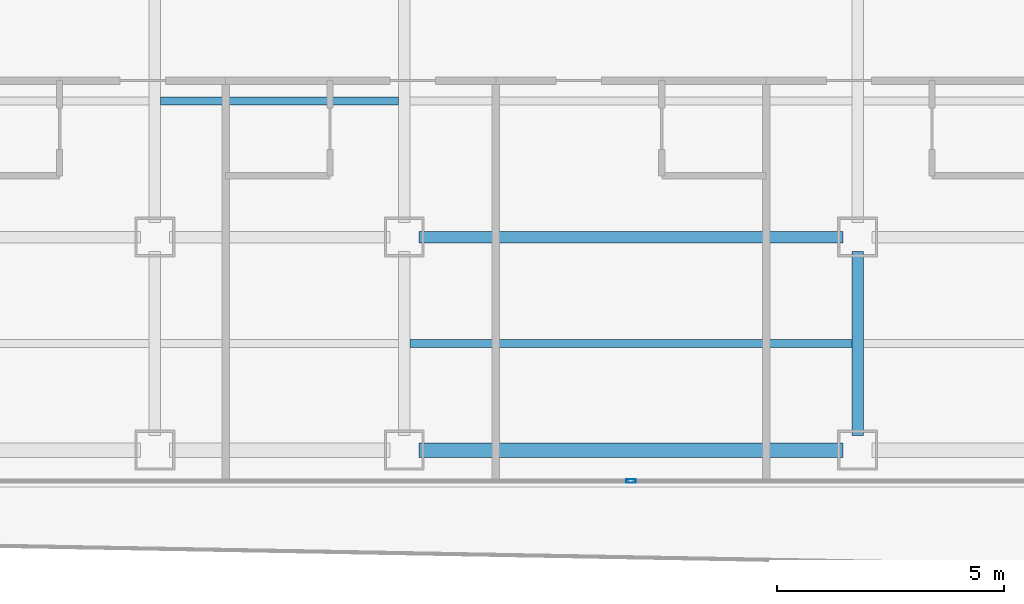
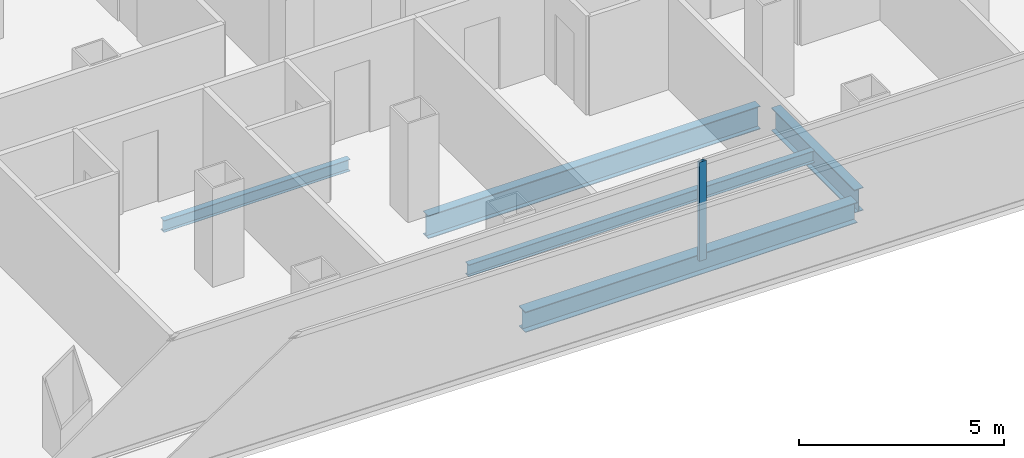
# One storey, part 4 of 21: 5 beams, 1 member, 1 element without a shape of its own.
"""IFC4 building model written with IfcOpenShell, lengths in metres."""

from ifc_helpers import new_model, si_unit, direction, frame, origin, origin_2d, place, context, subcontext, project, spatial, hollow_rectangle, i_section, extrude, source, transform, mapped, material, layer, layer_set, material_profile, profile_set, type_object, element, aggregate, save


model = new_model("IFC4")

# Units and contexts
model_context = context("Model", 3, precision=1e-05, world=origin(), true_north=direction((0.0, 1.0)))
body_context = subcontext(model_context, "Body", "Model", "MODEL_VIEW")
ifc_project = project(units=[si_unit("LENGTHUNIT", "METRE"), si_unit("AREAUNIT", "SQUARE_METRE"), si_unit("VOLUMEUNIT", "CUBIC_METRE"), si_unit("PLANEANGLEUNIT", "RADIAN"), si_unit("MASSUNIT", "GRAM", prefix="KILO")], contexts=[model_context])

# Site, building, storey
site_placement = place(None, origin())
site = spatial("IfcSite", under=ifc_project, at=site_placement, CompositionType="ELEMENT")
building_placement = place(site_placement, origin())
building = spatial("IfcBuilding", under=site, at=building_placement, Name="Kolveth Station Tower", CompositionType="ELEMENT")
storey_placement = place(building_placement, frame((0.0, 0.0, 111.89990234375)))
storey = spatial("IfcBuildingStorey", under=building, at=storey_placement, Name="L30", CompositionType="ELEMENT", Elevation=111.89990234375)

# Beams
ifc_material_1 = material(Name="Steel S355", Category="steel")
ifc_material_profile_1 = material_profile(ifc_material_1, i_section(OverallWidth=0.323974609375, OverallDepth=0.611083984375, WebThickness=0.0126953125, FlangeThickness=0.01904296875, at=origin_2d()), Name="W610x155")
ifc_profile_set_1 = profile_set([ifc_material_profile_1], Name="Steel S355")
beam_type_1 = type_object("IfcBeamType", Name="Beam_SP2", PredefinedType="SPANDREL", material=ifc_profile_set_1)
shared_shape_1 = source(origin(), body_context, "Body", "SweptSolid", [
    extrude(i_section(OverallWidth=0.323974609375, OverallDepth=0.611083984375, WebThickness=0.0126953125, FlangeThickness=0.01904296875, at=origin_2d()), origin(), (0.0, 0.0, 1.0), 9.35986328125),
])
beam_1_placement = place(storey_placement, frame((18.820068359375, 0.800048828125, -0.555419921875), z_axis=(1.0, 0.0, 0.0), x_axis=(0.0, 1.0, 0.0)))
element("IfcBeam", 1, at=beam_1_placement, inside=storey, type_object=beam_type_1, Name="L30 Perimeter Spandrel BM-L30-PS-3", PredefinedType="SPANDREL", context=body_context, shape_type="MappedRepresentation", body=[
    mapped(shared_shape_1, transform((0.0, 0.0, 0.0), x_axis=(1.0, 0.0, 0.0), y_axis=(0.0, 1.0, 0.0), z_axis=(0.0, 0.0, 1.0), scale=1.0)),
])
ifc_material_profile_2 = material_profile(ifc_material_1, i_section(OverallWidth=0.25390625, OverallDepth=0.68798828125, WebThickness=0.01318359375, FlangeThickness=0.02099609375, at=origin_2d()), Name="W690x152")
ifc_profile_set_2 = profile_set([ifc_material_profile_2], Name="Steel S355")
beam_type_2 = type_object("IfcBeamType", Name="Beam_B4", PredefinedType="BEAM", material=ifc_profile_set_2)
shared_shape_2 = source(origin(), body_context, "Body", "SweptSolid", [
    extrude(i_section(OverallWidth=0.25390625, OverallDepth=0.68798828125, WebThickness=0.01318359375, FlangeThickness=0.02099609375, at=origin_2d()), origin(), (0.0, 0.0, 1.0), 9.35986328125),
])
beam_2_placement = place(storey_placement, frame((18.820068359375, 5.5, -0.593994140625), z_axis=(1.0, 0.0, 0.0), x_axis=(0.0, 1.0, 0.0)))
element("IfcBeam", 2, at=beam_2_placement, inside=storey, type_object=beam_type_2, Name="L30 Primary Girder BM-L30-GY55-4", PredefinedType="BEAM", context=body_context, shape_type="MappedRepresentation", body=[
    mapped(shared_shape_2, transform((0.0, 0.0, 0.0), x_axis=(1.0, 0.0, 0.0), y_axis=(0.0, 1.0, 0.0), z_axis=(0.0, 0.0, 1.0), scale=1.0)),
])
shared_shape_3 = source(origin(), body_context, "Body", "SweptSolid", [
    extrude(i_section(OverallWidth=0.25390625, OverallDepth=0.68798828125, WebThickness=0.01318359375, FlangeThickness=0.02099609375, at=origin_2d()), origin(), (0.0, 0.0, 1.0), 4.059814453125),
])
beam_3_placement = place(storey_placement, frame((28.5, 1.1201171875, -0.593994140625), z_axis=(0.0, 1.0, 0.0), x_axis=(-1.0, 0.0, 0.0)))
element("IfcBeam", 3, at=beam_3_placement, inside=storey, type_object=beam_type_2, Name="L30 Primary Girder BM-L30-GX285-1", PredefinedType="BEAM", context=body_context, shape_type="MappedRepresentation", body=[
    mapped(shared_shape_3, transform((0.0, 0.0, 0.0), x_axis=(1.0, 0.0, 0.0), y_axis=(0.0, 1.0, 0.0), z_axis=(0.0, 0.0, 1.0), scale=1.0)),
])
ifc_material_profile_3 = material_profile(ifc_material_1, i_section(OverallWidth=0.1708984375, OverallDepth=0.35205078125, WebThickness=0.0068359375, FlangeThickness=0.009765625, at=origin_2d()), Name="W360x44")
ifc_profile_set_3 = profile_set([ifc_material_profile_3], Name="Steel S355")
beam_type_3 = type_object("IfcBeamType", Name="Beam_J2", PredefinedType="JOIST", material=ifc_profile_set_3)
shared_shape_4 = source(origin(), body_context, "Body", "SweptSolid", [
    extrude(i_section(OverallWidth=0.1708984375, OverallDepth=0.35205078125, WebThickness=0.0068359375, FlangeThickness=0.009765625, at=origin_2d()), origin(), (0.0, 0.0, 1.0), 5.25),
])
beam_4_placement = place(storey_placement, frame((13.125, 8.5, -0.42578125), z_axis=(1.0, 0.0, 0.0), x_axis=(0.0, 1.0, 0.0)))
element("IfcBeam", 4, at=beam_4_placement, inside=storey, type_object=beam_type_3, Name="L30 Secondary Joist JST-L30-3-2", PredefinedType="JOIST", context=body_context, shape_type="MappedRepresentation", body=[
    mapped(shared_shape_4, transform((0.0, 0.0, 0.0), x_axis=(1.0, 0.0, 0.0), y_axis=(0.0, 1.0, 0.0), z_axis=(0.0, 0.0, 1.0), scale=1.0)),
])
shared_shape_5 = source(origin(), body_context, "Body", "SweptSolid", [
    extrude(i_section(OverallWidth=0.1708984375, OverallDepth=0.35205078125, WebThickness=0.0068359375, FlangeThickness=0.009765625, at=origin_2d()), origin(), (0.0, 0.0, 1.0), 9.75),
])
beam_5_placement = place(storey_placement, frame((18.625, 3.14990234375, -0.42578125), z_axis=(1.0, 0.0, 0.0), x_axis=(0.0, 1.0, 0.0)))
element("IfcBeam", 5, at=beam_5_placement, inside=storey, type_object=beam_type_3, Name="L30 Secondary Joist JST-L30-4-1", PredefinedType="JOIST", context=body_context, shape_type="MappedRepresentation", body=[
    mapped(shared_shape_5, transform((0.0, 0.0, 0.0), x_axis=(1.0, 0.0, 0.0), y_axis=(0.0, 1.0, 0.0), z_axis=(0.0, 0.0, 1.0), scale=1.0)),
])

# Curtain wall, member
ifc_material_2 = material(Name="Aluminium 6063-T6 and low-E dark glass", Category="aluminium")
ifc_layer = layer(ifc_material_2, 0.18994140625)
ifc_layer_set = layer_set([ifc_layer], Name="Aluminium 6063-T6 and low-E dark glass")
curtain_wall_type = type_object("IfcCurtainWallType", Name="CurtainWall_CW-Z2", PredefinedType="NOTDEFINED", material=ifc_layer_set)
curtain_wall_placement = place(storey_placement, origin())
curtain_wall = element("IfcCurtainWall", 6, at=curtain_wall_placement, inside=storey, type_object=curtain_wall_type, Name="L30 Inner Thermal Curtain Wall 12", PredefinedType="NOTDEFINED")
ifc_material_3 = material(Name="Black anodized aluminium 6063-T6", Category="aluminium")
ifc_material_profile_4 = material_profile(ifc_material_3, hollow_rectangle(XDim=0.080078125, YDim=0.199951171875, WallThickness=0.0048828125, at=origin_2d()), Name="ALU-80x200x5")
ifc_profile_set_4 = profile_set([ifc_material_profile_4], Name="Black anodized aluminium 6063-T6")
member_type = type_object("IfcMemberType", Name="Mullion_ML2", PredefinedType="MULLION", material=ifc_profile_set_4)
shared_shape_6 = source(origin(), body_context, "Body", "SweptSolid", [
    extrude(hollow_rectangle(XDim=0.080078125, YDim=0.199951171875, WallThickness=0.0048828125, at=origin_2d()), origin(), (0.0, 0.0, 1.0), 2.9501953125),
])
member_placement = place(storey_placement, frame((23.5, 0.1201171875, 0.0), z_axis=(0.0, 0.0, 1.0), x_axis=(0.0, 1.0, 0.0)))
member = element("IfcMember", 7, at=member_placement, type_object=member_type, Name="CW-Z2 mullion 2", PredefinedType="MULLION", context=body_context, shape_type="MappedRepresentation", body=[
    mapped(shared_shape_6, transform((0.0, 0.0, 0.0), x_axis=(1.0, 0.0, 0.0), y_axis=(0.0, 1.0, 0.0), z_axis=(0.0, 0.0, 1.0), scale=1.0)),
])
aggregate(curtain_wall, [member])

save(model, "model.ifc")
